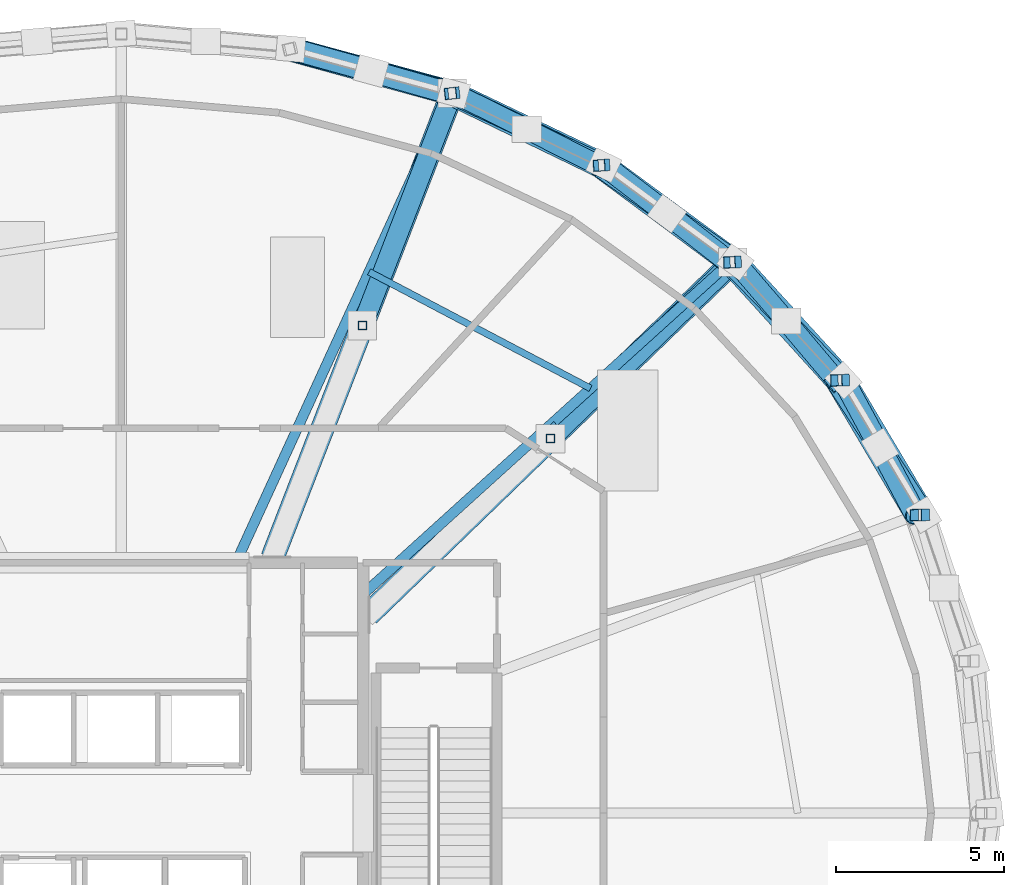
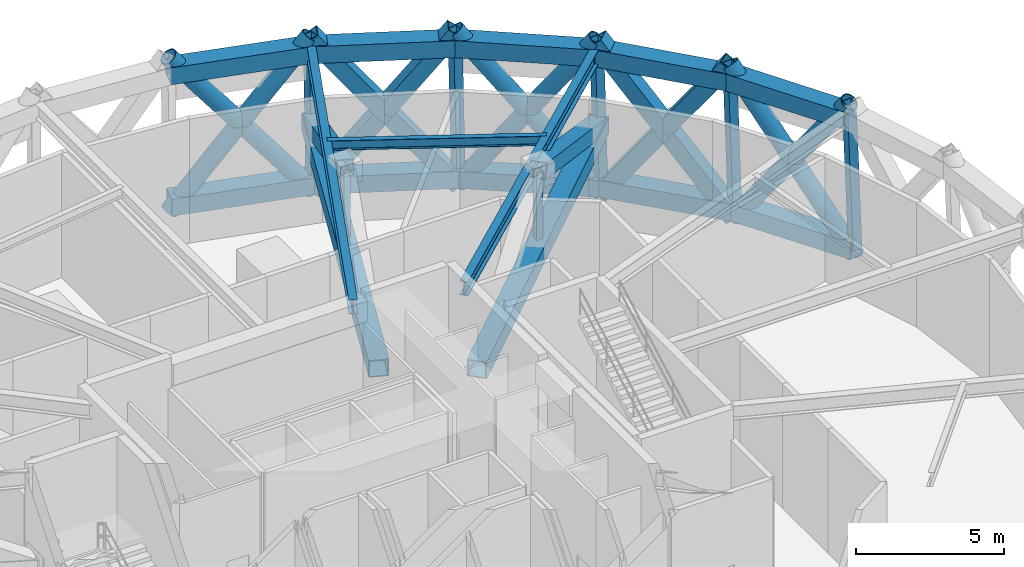
# One storey, part 6 of 15: 24 members, 15 beams.
"""IFC4 building model written with IfcOpenShell, lengths in metres."""

from ifc_helpers import new_model, si_unit, direction, frame, origin, origin_2d, place, context, subcontext, project, spatial, hollow_rectangle, hollow_circle, i_section, extrude, material, material_profile, profile_set, type_object, element, save


model = new_model("IFC4")

# Units and contexts
model_context = context("Model", 3, precision=1e-05, world=origin(), true_north=direction((0.0, 1.0)))
body_context = subcontext(model_context, "Body", "Model", "MODEL_VIEW")
ifc_project = project(units=[si_unit("LENGTHUNIT", "METRE"), si_unit("AREAUNIT", "SQUARE_METRE"), si_unit("VOLUMEUNIT", "CUBIC_METRE"), si_unit("PLANEANGLEUNIT", "RADIAN"), si_unit("MASSUNIT", "GRAM", prefix="KILO")], contexts=[model_context])

# Site, building, storey
site_placement = place(None, origin())
site = spatial("IfcSite", under=ifc_project, at=site_placement, CompositionType="ELEMENT")
building_placement = place(site_placement, origin())
building = spatial("IfcBuilding", under=site, at=building_placement, Name="Veldorina Hangang Commons", CompositionType="ELEMENT")
storey_placement = place(building_placement, frame((0.0, 0.0, 208.39990234375)))
storey = spatial("IfcBuildingStorey", under=building, at=storey_placement, Name="L54", CompositionType="ELEMENT", Elevation=208.39990234375)

# Beams
ifc_material_1 = material(Name="Steel SM460-TMC", Category="steel")
ifc_material_profile_1 = material_profile(ifc_material_1, hollow_rectangle(XDim=0.699951171875, YDim=0.699951171875, WallThickness=0.034912109375, at=origin_2d()), Name="BOX-700x700x35")
ifc_profile_set_1 = profile_set([ifc_material_profile_1], Name="Steel SM460-TMC")
beam_type_1 = type_object("IfcBeamType", Name="BM-BLT700", PredefinedType="BEAM", material=ifc_profile_set_1)
beam_1_placement = place(storey_placement, frame((55.664306640625, 32.87060546875, 5.81005859375), z_axis=(-0.508582629605, 0.861013187393, 0.0), x_axis=(-0.861013187393, -0.508582629605, 0.0)))
element("IfcBeam", 1, at=beam_1_placement, inside=storey, type_object=beam_type_1, Name="L54 perimeter hoop ring beam 02", PredefinedType="BEAM", context=body_context, shape_type="SweptSolid", body=[
    extrude(hollow_rectangle(XDim=0.699951171875, YDim=0.699951171875, WallThickness=0.034912109375, at=origin_2d()), origin(), (0.0, 0.0, 1.0), 4.654541015625),
])
beam_2_placement = place(storey_placement, frame((53.297119140625, 36.878173828125, 5.81005859375), z_axis=(-0.67176763512, 0.740761935041, 0.0), x_axis=(-0.740761935041, -0.67176763512, 0.0)))
element("IfcBeam", 2, at=beam_2_placement, inside=storey, type_object=beam_type_1, Name="L54 perimeter hoop ring beam 03", PredefinedType="BEAM", context=body_context, shape_type="SweptSolid", body=[
    extrude(hollow_rectangle(XDim=0.699951171875, YDim=0.699951171875, WallThickness=0.034912109375, at=origin_2d()), origin(), (0.0, 0.0, 1.0), 4.74169921875),
])
beam_3_placement = place(storey_placement, frame((50.11181640625, 40.390625, 5.81005859375), z_axis=(-0.802808760637, 0.596236608944, 0.0), x_axis=(-0.596236608944, -0.802808760637, 0.0)))
element("IfcBeam", 3, at=beam_3_placement, inside=storey, type_object=beam_type_1, Name="L54 perimeter hoop ring beam 04", PredefinedType="BEAM", context=body_context, shape_type="SweptSolid", body=[
    extrude(hollow_rectangle(XDim=0.699951171875, YDim=0.699951171875, WallThickness=0.034912109375, at=origin_2d()), origin(), (0.0, 0.0, 1.0), 4.8349609375),
])
beam_4_placement = place(storey_placement, frame((46.230224609375, 43.2734375, 5.81005859375), z_axis=(-0.90022640721, 0.435422112165, 0.0), x_axis=(-0.435422112165, -0.90022640721, 0.0)))
element("IfcBeam", 4, at=beam_4_placement, inside=storey, type_object=beam_type_1, Name="L54 perimeter hoop ring beam 05", PredefinedType="BEAM", context=body_context, shape_type="SweptSolid", body=[
    extrude(hollow_rectangle(XDim=0.699951171875, YDim=0.699951171875, WallThickness=0.034912109375, at=origin_2d()), origin(), (0.0, 0.0, 1.0), 4.9189453125),
])
beam_5_placement = place(storey_placement, frame((41.802001953125, 45.415283203125, 5.81005859375), z_axis=(-0.964308978563, 0.264779519341, 0.0), x_axis=(-0.264779519341, -0.964308978563, 0.0)))
element("IfcBeam", 5, at=beam_5_placement, inside=storey, type_object=beam_type_1, Name="L54 perimeter hoop ring beam 06", PredefinedType="BEAM", context=body_context, shape_type="SweptSolid", body=[
    extrude(hollow_rectangle(XDim=0.699951171875, YDim=0.699951171875, WallThickness=0.034912109375, at=origin_2d()), origin(), (0.0, 0.0, 1.0), 4.982666015625),
])
beam_6_placement = place(storey_placement, frame((55.881591796875, 32.874755859375, 0.35009765625), z_axis=(-0.511808460899, 0.8590995864, 0.0), x_axis=(-0.8590995864, -0.511808460899, 0.0)))
element("IfcBeam", 6, at=beam_6_placement, inside=storey, type_object=beam_type_1, Name="L54 perimeter belt truss bottom chord 02", PredefinedType="BEAM", context=body_context, shape_type="SweptSolid", body=[
    extrude(hollow_rectangle(XDim=0.699951171875, YDim=0.699951171875, WallThickness=0.034912109375, at=origin_2d()), origin(), (0.0, 0.0, 1.0), 4.667236328125),
])
beam_7_placement = place(storey_placement, frame((53.492919921875, 36.88427734375, 0.35009765625), z_axis=(-0.674986151798, 0.737830397097, 0.0), x_axis=(-0.737830397097, -0.674986151798, 0.0)))
element("IfcBeam", 7, at=beam_7_placement, inside=storey, type_object=beam_type_1, Name="L54 perimeter belt truss bottom chord 03", PredefinedType="BEAM", context=body_context, shape_type="SweptSolid", body=[
    extrude(hollow_rectangle(XDim=0.699951171875, YDim=0.699951171875, WallThickness=0.034912109375, at=origin_2d()), origin(), (0.0, 0.0, 1.0), 4.762939453125),
])
beam_8_placement = place(storey_placement, frame((50.278076171875, 40.3984375, 0.35009765625), z_axis=(-0.805268985683, 0.592909656437, 0.0), x_axis=(-0.592909656437, -0.805268985683, 0.0)))
element("IfcBeam", 8, at=beam_8_placement, inside=storey, type_object=beam_type_1, Name="L54 perimeter belt truss bottom chord 04", PredefinedType="BEAM", context=body_context, shape_type="SweptSolid", body=[
    extrude(hollow_rectangle(XDim=0.699951171875, YDim=0.699951171875, WallThickness=0.034912109375, at=origin_2d()), origin(), (0.0, 0.0, 1.0), 4.8642578125),
])
beam_9_placement = place(storey_placement, frame((46.361083984375, 43.282470703125, 0.35009765625), z_axis=(-0.901684415372, 0.432394744504, 0.0), x_axis=(-0.432394744504, -0.901684415372, 0.0)))
element("IfcBeam", 9, at=beam_9_placement, inside=storey, type_object=beam_type_1, Name="L54 perimeter belt truss bottom chord 05", PredefinedType="BEAM", context=body_context, shape_type="SweptSolid", body=[
    extrude(hollow_rectangle(XDim=0.699951171875, YDim=0.699951171875, WallThickness=0.034912109375, at=origin_2d()), origin(), (0.0, 0.0, 1.0), 4.956298828125),
])
beam_10_placement = place(storey_placement, frame((41.89208984375, 45.425537109375, 0.35009765625), z_axis=(-0.964898224681, 0.262624096396, 0.0), x_axis=(-0.262624096396, -0.964898224681, 0.0)))
element("IfcBeam", 10, at=beam_10_placement, inside=storey, type_object=beam_type_1, Name="L54 perimeter belt truss bottom chord 06", PredefinedType="BEAM", context=body_context, shape_type="SweptSolid", body=[
    extrude(hollow_rectangle(XDim=0.699951171875, YDim=0.699951171875, WallThickness=0.034912109375, at=origin_2d()), origin(), (0.0, 0.0, 1.0), 5.025634765625),
])
beam_11_placement = place(storey_placement, frame((39.35009765625, 29.89990234375, 2.85009765625), z_axis=(0.718665766232, 0.695355676216, 0.0), x_axis=(-0.695355676216, 0.718665766232, 0.0)))
element("IfcBeam", 11, at=beam_11_placement, inside=storey, type_object=beam_type_1, Name="L54 outrigger chord 01", PredefinedType="BEAM", context=body_context, shape_type="SweptSolid", body=[
    extrude(hollow_rectangle(XDim=0.699951171875, YDim=0.699951171875, WallThickness=0.034912109375, at=origin_2d()), origin(), (0.0, 0.0, 1.0), 15.092529296875),
])
beam_12_placement = place(storey_placement, frame((36.5, 31.60009765625, 2.85009765625), z_axis=(0.360877166991, 0.932613355225, 0.0), x_axis=(-0.932613355225, 0.360877166991, 0.0)))
element("IfcBeam", 12, at=beam_12_placement, inside=storey, type_object=beam_type_1, Name="L54 outrigger chord 02", PredefinedType="BEAM", context=body_context, shape_type="SweptSolid", body=[
    extrude(hollow_rectangle(XDim=0.699951171875, YDim=0.699951171875, WallThickness=0.034912109375, at=origin_2d()), origin(), (0.0, 0.0, 1.0), 14.819091796875),
])
ifc_material_profile_2 = material_profile(ifc_material_1, i_section(OverallWidth=0.300048828125, OverallDepth=0.587890625, WebThickness=0.011962890625, FlangeThickness=0.02001953125, FilletRadius=0.01806640625, at=origin_2d()), Name="H-588x300x12x20")
ifc_profile_set_2 = profile_set([ifc_material_profile_2], Name="Steel SM460-TMC")
beam_type_2 = type_object("IfcBeamType", Name="BM-FG588", PredefinedType="BEAM", material=ifc_profile_set_2)
beam_13_placement = place(storey_placement, frame((39.199951171875, 30.515869140625, 5.8662109375), z_axis=(0.741464245952, 0.670992378477, 0.0), x_axis=(-0.670992378477, 0.741464245952, 0.0)))
element("IfcBeam", 13, at=beam_13_placement, inside=storey, type_object=beam_type_2, Name="L54 radial floor girder 03", PredefinedType="BEAM", context=body_context, shape_type="SweptSolid", body=[
    extrude(i_section(OverallWidth=0.300048828125, OverallDepth=0.587890625, WebThickness=0.011962890625, FlangeThickness=0.02001953125, FilletRadius=0.01806640625, at=origin_2d()), origin(), (0.0, 0.0, 1.0), 14.716552734375),
])
beam_14_placement = place(storey_placement, frame((35.409912109375, 31.449951171875, 5.8662109375), z_axis=(0.416187219307, 0.909278944266, 0.0), x_axis=(-0.909278944266, 0.416187219307, 0.0)))
element("IfcBeam", 14, at=beam_14_placement, inside=storey, type_object=beam_type_2, Name="L54 radial floor girder 04", PredefinedType="BEAM", context=body_context, shape_type="SweptSolid", body=[
    extrude(i_section(OverallWidth=0.300048828125, OverallDepth=0.587890625, WebThickness=0.011962890625, FlangeThickness=0.02001953125, FilletRadius=0.01806640625, at=origin_2d()), origin(), (0.0, 0.0, 1.0), 15.358642578125),
])
ifc_material_2 = material(Name="Steel SM355-TMC", Category="steel")
ifc_material_profile_3 = material_profile(ifc_material_2, i_section(OverallWidth=0.199951171875, OverallDepth=0.39990234375, WebThickness=0.008056640625, FlangeThickness=0.012939453125, FilletRadius=0.012939453125, at=origin_2d()), Name="H-400x200x8x13")
ifc_profile_set_3 = profile_set([ifc_material_profile_3], Name="Steel SM355-TMC")
beam_type_3 = type_object("IfcBeamType", Name="BM-JST400", PredefinedType="JOIST", material=ifc_profile_set_3)
beam_15_placement = place(storey_placement, frame((45.96533203125, 36.63818359375, 5.960205078125), z_axis=(-0.884885520178, 0.465808561729, 0.0), x_axis=(-0.465808561729, -0.884885520178, 0.0)))
element("IfcBeam", 15, at=beam_15_placement, inside=storey, type_object=beam_type_3, Name="L54 secondary floor joist 03", PredefinedType="JOIST", context=body_context, shape_type="SweptSolid", body=[
    extrude(i_section(OverallWidth=0.199951171875, OverallDepth=0.39990234375, WebThickness=0.008056640625, FlangeThickness=0.012939453125, FilletRadius=0.012939453125, at=origin_2d()), origin(), (0.0, 0.0, 1.0), 7.449951171875),
])

# Members
ifc_material_profile_4 = material_profile(ifc_material_1, hollow_circle(Radius=0.324951171875, WallThickness=0.031982421875, at=origin_2d()), Name="CHS-650x32")
ifc_profile_set_4 = profile_set([ifc_material_profile_4], Name="Steel SM460-TMC")
member_type_1 = type_object("IfcMemberType", Name="DG-CHS650", PredefinedType="BRACE", material=ifc_profile_set_4)
member_1_placement = place(storey_placement, frame((55.881591796875, 32.874755859375, 0.0), z_axis=(-0.326129097958, 0.501254950878, 0.801488169398), x_axis=(-0.838204080707, -0.545356689778, 0.0)))
element("IfcMember", 16, at=member_1_placement, inside=storey, type_object=member_type_1, Name="L54 continuous perimeter diagrid brace 02", PredefinedType="BRACE", context=body_context, shape_type="SweptSolid", body=[
    extrude(hollow_circle(Radius=0.324951171875, WallThickness=0.031982421875, at=origin_2d()), origin(), (0.0, 0.0, 1.0), 7.9853515625),
])
member_2_placement = place(storey_placement, frame((53.492919921875, 36.88427734375, 0.0), z_axis=(0.275744893322, -0.509836291953, 0.814881408068), x_axis=(0.879592670679, 0.475727583484, 0.0)))
element("IfcMember", 17, at=member_2_placement, inside=storey, type_object=member_type_1, Name="L54 split perimeter diagrid lower brace 03", PredefinedType="BRACE", context=body_context, shape_type="SweptSolid", body=[
    extrude(hollow_circle(Radius=0.324951171875, WallThickness=0.031982421875, at=origin_2d()), origin(), (0.0, 0.0, 1.0), 3.932861328125),
])
member_3_placement = place(storey_placement, frame((54.577392578125, 34.879150390625, 3.204833984375), z_axis=(0.27148795092, -0.512284876891, 0.814775120762), x_axis=(0.883589338061, 0.468262620401, 0.0)))
element("IfcMember", 18, at=member_3_placement, inside=storey, type_object=member_type_1, Name="L54 split perimeter diagrid upper brace 03", PredefinedType="BRACE", context=body_context, shape_type="SweptSolid", body=[
    extrude(hollow_circle(Radius=0.324951171875, WallThickness=0.031982421875, at=origin_2d()), origin(), (0.0, 0.0, 1.0), 3.921630859375),
])
member_4_placement = place(storey_placement, frame((50.278076171875, 40.3984375, 0.0), z_axis=(-0.500965886526, 0.354537117722, 0.78951669564), x_axis=(-0.577676905901, -0.816265515864, 0.0)))
element("IfcMember", 19, at=member_4_placement, inside=storey, type_object=member_type_1, Name="L54 continuous perimeter diagrid brace 04", PredefinedType="BRACE", context=body_context, shape_type="SweptSolid", body=[
    extrude(hollow_circle(Radius=0.324951171875, WallThickness=0.031982421875, at=origin_2d()), origin(), (0.0, 0.0, 1.0), 8.1064453125),
])
member_5_placement = place(storey_placement, frame((46.361083984375, 43.282470703125, 0.0), z_axis=(0.471068784826, -0.361423991683, 0.80465327825), x_axis=(0.608719237362, 0.793385713298, 0.0)))
element("IfcMember", 20, at=member_5_placement, inside=storey, type_object=member_type_1, Name="L54 split perimeter diagrid lower brace 05", PredefinedType="BRACE", context=body_context, shape_type="SweptSolid", body=[
    extrude(hollow_circle(Radius=0.324951171875, WallThickness=0.031982421875, at=origin_2d()), origin(), (0.0, 0.0, 1.0), 3.990234375),
])
member_6_placement = place(storey_placement, frame((48.24072265625, 41.84033203125, 3.210693359375), z_axis=(0.467752228649, -0.36588755634, 0.804570785394), x_axis=(0.616120891502, 0.787651602585, 0.0)))
element("IfcMember", 21, at=member_6_placement, inside=storey, type_object=member_type_1, Name="L54 split perimeter diagrid upper brace 05", PredefinedType="BRACE", context=body_context, shape_type="SweptSolid", body=[
    extrude(hollow_circle(Radius=0.324951171875, WallThickness=0.031982421875, at=origin_2d()), origin(), (0.0, 0.0, 1.0), 3.964111328125),
])
member_7_placement = place(storey_placement, frame((41.89208984375, 45.425537109375, 0.0), z_axis=(-0.600027505092, 0.160164798683, 0.783782004384), x_axis=(-0.257899360088, -0.966171786002, 0.0)))
element("IfcMember", 22, at=member_7_placement, inside=storey, type_object=member_type_1, Name="L54 continuous perimeter diagrid brace 06", PredefinedType="BRACE", context=body_context, shape_type="SweptSolid", body=[
    extrude(hollow_circle(Radius=0.324951171875, WallThickness=0.031982421875, at=origin_2d()), origin(), (0.0, 0.0, 1.0), 8.165771484375),
])
member_8_placement = place(storey_placement, frame((37.04296875, 46.745361328125, 0.0), z_axis=(0.58821581307, -0.163293040131, 0.792046425595), x_axis=(0.267491417133, 0.963560242932, 0.0)))
element("IfcMember", 23, at=member_8_placement, inside=storey, type_object=member_type_1, Name="L54 split perimeter diagrid lower brace 07", PredefinedType="BRACE", context=body_context, shape_type="SweptSolid", body=[
    extrude(hollow_circle(Radius=0.324951171875, WallThickness=0.031982421875, at=origin_2d()), origin(), (0.0, 0.0, 1.0), 4.059326171875),
])
member_9_placement = place(storey_placement, frame((39.4306640625, 46.08251953125, 3.215087890625), z_axis=(0.587434634778, -0.16616459233, 0.79202896293), x_axis=(0.27218522416, 0.962244877227, 0.0)))
element("IfcMember", 24, at=member_9_placement, inside=storey, type_object=member_type_1, Name="L54 split perimeter diagrid upper brace 07", PredefinedType="BRACE", context=body_context, shape_type="SweptSolid", body=[
    extrude(hollow_circle(Radius=0.324951171875, WallThickness=0.031982421875, at=origin_2d()), origin(), (0.0, 0.0, 1.0), 4.021484375),
])
ifc_material_profile_5 = material_profile(ifc_material_1, hollow_rectangle(XDim=0.60009765625, YDim=0.60009765625, WallThickness=0.030029296875, at=origin_2d()), Name="BOX-600x600x30")
ifc_profile_set_5 = profile_set([ifc_material_profile_5], Name="Steel SM460-TMC")
member_type_2 = type_object("IfcMemberType", Name="OR-BOX600", PredefinedType="BRACE", material=ifc_profile_set_5)
member_10_placement = place(storey_placement, frame((53.492919921875, 36.88427734375, 0.0), z_axis=(-0.422122520632, 0.435497720489, 0.795081324786), x_axis=(-0.718047297513, -0.695994309269, 0.0)))
element("IfcMember", 25, at=member_10_placement, inside=storey, type_object=member_type_2, Name="L54 belt truss continuous brace 03", PredefinedType="BRACE", context=body_context, shape_type="SweptSolid", body=[
    extrude(hollow_rectangle(XDim=0.60009765625, YDim=0.60009765625, WallThickness=0.030029296875, at=origin_2d()), origin(), (0.0, 0.0, 1.0), 8.049560546875),
])
member_11_placement = place(storey_placement, frame((50.278076171875, 40.3984375, 0.0), z_axis=(0.381962318224, -0.44395717123, 0.810559570649), x_axis=(0.75805083705, 0.652195467975, 0.0)))
element("IfcMember", 26, at=member_11_placement, inside=storey, type_object=member_type_2, Name="L54 belt truss split lower brace 04", PredefinedType="BRACE", context=body_context, shape_type="SweptSolid", body=[
    extrude(hollow_rectangle(XDim=0.60009765625, YDim=0.60009765625, WallThickness=0.030029296875, at=origin_2d()), origin(), (0.0, 0.0, 1.0), 3.957763671875),
])
member_12_placement = place(storey_placement, frame((51.789794921875, 38.641357421875, 3.2080078125), z_axis=(0.377667861452, -0.447833628588, 0.810439403985), x_axis=(0.764452795061, 0.644679706617, 0.0)))
element("IfcMember", 27, at=member_12_placement, inside=storey, type_object=member_type_2, Name="L54 belt truss split upper brace 04", PredefinedType="BRACE", context=body_context, shape_type="SweptSolid", body=[
    extrude(hollow_rectangle(XDim=0.60009765625, YDim=0.60009765625, WallThickness=0.030029296875, at=origin_2d()), origin(), (0.0, 0.0, 1.0), 3.938720703125),
])
member_13_placement = place(storey_placement, frame((46.361083984375, 43.282470703125, 0.0), z_axis=(-0.560708515037, 0.261669967041, 0.785579270038), x_axis=(-0.422893419197, -0.906179428149, 0.0)))
element("IfcMember", 28, at=member_13_placement, inside=storey, type_object=member_type_2, Name="L54 belt truss continuous brace 05", PredefinedType="BRACE", context=body_context, shape_type="SweptSolid", body=[
    extrude(hollow_rectangle(XDim=0.60009765625, YDim=0.60009765625, WallThickness=0.030029296875, at=origin_2d()), origin(), (0.0, 0.0, 1.0), 8.14697265625),
])
member_14_placement = place(storey_placement, frame((41.89208984375, 45.425537109375, 0.0), z_axis=(0.540314078762, -0.266457919425, 0.798160932061), x_axis=(0.442294702411, 0.896869776623, 0.0)))
element("IfcMember", 29, at=member_14_placement, inside=storey, type_object=member_type_2, Name="L54 belt truss split lower brace 06", PredefinedType="BRACE", context=body_context, shape_type="SweptSolid", body=[
    extrude(hollow_rectangle(XDim=0.60009765625, YDim=0.60009765625, WallThickness=0.030029296875, at=origin_2d()), origin(), (0.0, 0.0, 1.0), 4.02587890625),
])
member_15_placement = place(storey_placement, frame((44.0673828125, 44.352783203125, 3.21337890625), z_axis=(0.538364015959, -0.270557725226, 0.798099432177), x_axis=(0.449039263321, 0.893512025659, 0.0)))
element("IfcMember", 30, at=member_15_placement, inside=storey, type_object=member_type_2, Name="L54 belt truss split upper brace 06", PredefinedType="BRACE", context=body_context, shape_type="SweptSolid", body=[
    extrude(hollow_rectangle(XDim=0.60009765625, YDim=0.60009765625, WallThickness=0.030029296875, at=origin_2d()), origin(), (0.0, 0.0, 1.0), 3.992919921875),
])
member_16_placement = place(storey_placement, frame((44.773193359375, 35.147216796875, 6.010009765625), z_axis=(0.662903054795, 0.641387204318, -0.386240849834), x_axis=(-0.695347592496, 0.718673587666, 0.0)))
element("IfcMember", 31, at=member_16_placement, inside=storey, type_object=member_type_2, Name="L54 outrigger outer web diagonal 01", PredefinedType="BRACE", context=body_context, shape_type="SweptSolid", body=[
    extrude(hollow_rectangle(XDim=0.60009765625, YDim=0.60009765625, WallThickness=0.030029296875, at=origin_2d()), origin(), (0.0, 0.0, 1.0), 8.18115234375),
])
member_17_placement = place(storey_placement, frame((39.174072265625, 38.51025390625, 6.010009765625), z_axis=(0.331933569363, 0.857868853253, -0.392276861602), x_axis=(-0.932621045162, 0.360857293291, 0.0)))
element("IfcMember", 32, at=member_17_placement, inside=storey, type_object=member_type_2, Name="L54 outrigger outer web diagonal 02", PredefinedType="BRACE", context=body_context, shape_type="SweptSolid", body=[
    extrude(hollow_rectangle(XDim=0.60009765625, YDim=0.60009765625, WallThickness=0.030029296875, at=origin_2d()), origin(), (0.0, 0.0, 1.0), 8.055419921875),
])
ifc_material_profile_6 = material_profile(ifc_material_2, hollow_rectangle(XDim=0.25, YDim=0.25, WallThickness=0.011962890625, at=origin_2d()), Name="SHS-250x250x12")
ifc_profile_set_6 = profile_set([ifc_material_profile_6], Name="Steel SM355-TMC")
member_type_3 = type_object("IfcMemberType", Name="STR-SHS250", PredefinedType="STRUT", material=ifc_profile_set_6)
for number, where, z_axis, x_axis, name in (
    (33, (44.773193359375, 35.147216796875, 2.85009765625), (0.0, 0.0, 1.0), (1.0, 0.0, 0.0), "L54 outrigger mid vertical strut 01"),
    (34, (39.174072265625, 38.51025390625, 2.85009765625), (0.0, 0.0, 1.0), (1.0, 0.0, 0.0), "L54 outrigger mid vertical strut 02"),
):
    element("IfcMember", number, at=place(storey_placement, frame(where, z_axis=z_axis, x_axis=x_axis)), inside=storey, type_object=member_type_3, Name=name, PredefinedType="STRUT", context=body_context, shape_type="SweptSolid", body=[
        extrude(hollow_rectangle(XDim=0.25, YDim=0.25, WallThickness=0.011962890625, at=origin_2d()), origin(), (0.0, 0.0, 1.0), 3.159912109375),
    ])
ifc_material_profile_7 = material_profile(ifc_material_2, hollow_rectangle(XDim=0.35009765625, YDim=0.35009765625, WallThickness=0.01611328125, at=origin_2d()), Name="SHS-350x350x16")
ifc_profile_set_7 = profile_set([ifc_material_profile_7], Name="Steel SM355-TMC")
member_type_4 = type_object("IfcMemberType", Name="STR-SHS350", PredefinedType="STRUT", material=ifc_profile_set_7)
member_18_placement = place(storey_placement, frame((55.881591796875, 32.874755859375, 0.0), z_axis=(-0.037395139771, -0.000724268762, 0.999300294684), x_axis=(0.019364360215, -0.999812493197, 0.0)))
element("IfcMember", 35, at=member_18_placement, inside=storey, type_object=member_type_4, Name="L54 perimeter ring node post 02", PredefinedType="STRUT", context=body_context, shape_type="SweptSolid", body=[
    extrude(hollow_rectangle(XDim=0.35009765625, YDim=0.35009765625, WallThickness=0.01611328125, at=origin_2d()), origin(), (0.0, 0.0, 1.0), 6.404541015625),
])
member_19_placement = place(storey_placement, frame((53.492919921875, 36.88427734375, 0.0), z_axis=(-0.033663895534, -0.001067484796, 0.999432640358), x_axis=(0.031694148584, -0.999497614277, 0.0)))
element("IfcMember", 36, at=member_19_placement, inside=storey, type_object=member_type_4, Name="L54 perimeter ring node post 03", PredefinedType="STRUT", context=body_context, shape_type="SweptSolid", body=[
    extrude(hollow_rectangle(XDim=0.35009765625, YDim=0.35009765625, WallThickness=0.01611328125, at=origin_2d()), origin(), (0.0, 0.0, 1.0), 6.40380859375),
])
member_20_placement = place(storey_placement, frame((50.278076171875, 40.3984375, 0.0), z_axis=(-0.028597847807, -0.001334566231, 0.999590107011), x_axis=(0.046615934699, -0.998912886408, 0.0)))
element("IfcMember", 37, at=member_20_placement, inside=storey, type_object=member_type_4, Name="L54 perimeter ring node post 04", PredefinedType="STRUT", context=body_context, shape_type="SweptSolid", body=[
    extrude(hollow_rectangle(XDim=0.35009765625, YDim=0.35009765625, WallThickness=0.01611328125, at=origin_2d()), origin(), (0.0, 0.0, 1.0), 6.40283203125),
])
member_21_placement = place(storey_placement, frame((46.361083984375, 43.282470703125, 0.0), z_axis=(-0.02250047338, -0.001563592218, 0.999745609581), x_axis=(0.069324340897, -0.99759417388, 0.0)))
element("IfcMember", 38, at=member_21_placement, inside=storey, type_object=member_type_4, Name="L54 perimeter ring node post 05", PredefinedType="STRUT", context=body_context, shape_type="SweptSolid", body=[
    extrude(hollow_rectangle(XDim=0.35009765625, YDim=0.35009765625, WallThickness=0.01611328125, at=origin_2d()), origin(), (0.0, 0.0, 1.0), 6.40185546875),
])
member_22_placement = place(storey_placement, frame((41.89208984375, 45.425537109375, 0.0), z_axis=(-0.015485435551, -0.001754507476, 0.99987855412), x_axis=(0.112580200727, -0.993642641197, 0.0)))
element("IfcMember", 39, at=member_22_placement, inside=storey, type_object=member_type_4, Name="L54 perimeter ring node post 06", PredefinedType="STRUT", context=body_context, shape_type="SweptSolid", body=[
    extrude(hollow_rectangle(XDim=0.35009765625, YDim=0.35009765625, WallThickness=0.01611328125, at=origin_2d()), origin(), (0.0, 0.0, 1.0), 6.40087890625),
])

save(model, "model.ifc")
